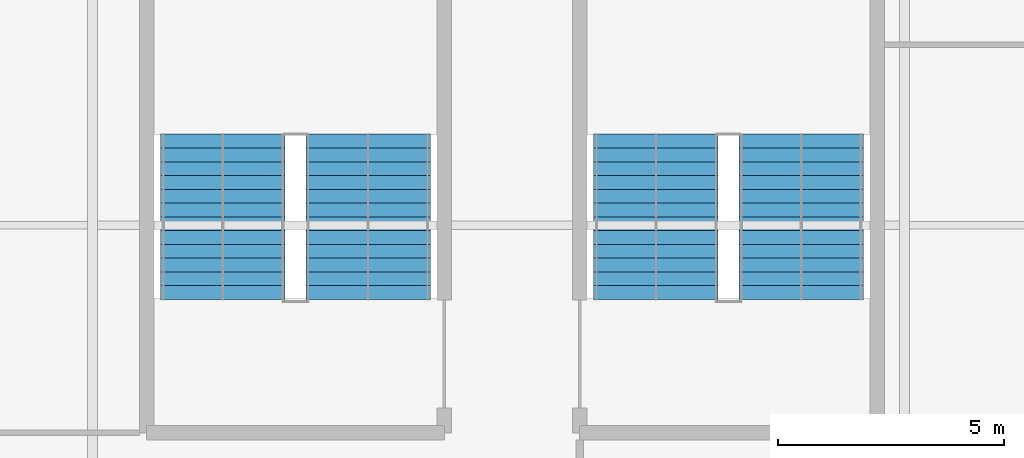
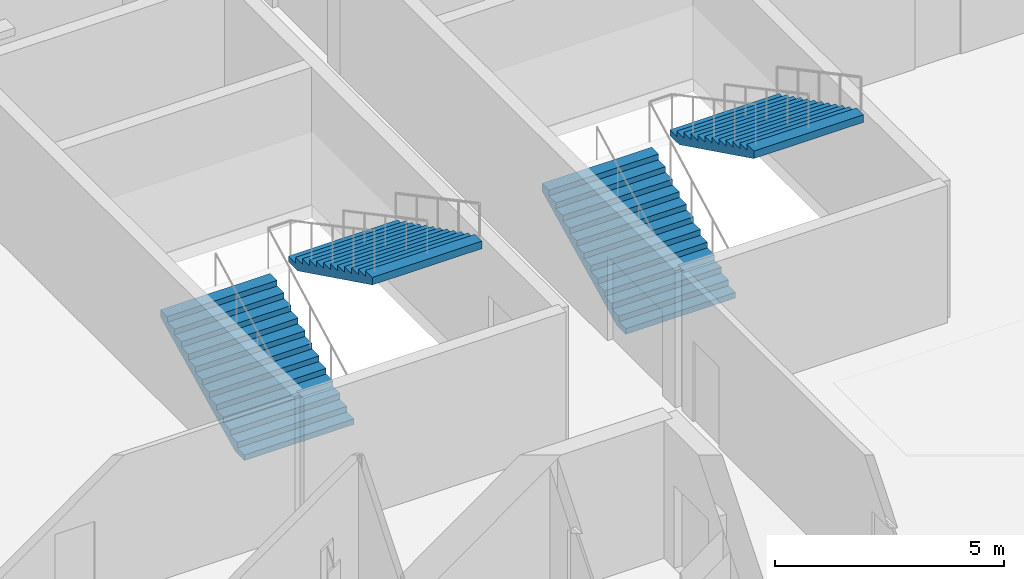
# One storey, part 18 of 27: 4 stair flights, 2 elements without a shape of their own.
"""IFC4 building model written with IfcOpenShell, lengths in metres."""

from ifc_helpers import new_model, si_unit, direction, frame, origin, place, context, subcontext, project, spatial, polygons, material, type_object, element, aggregate, save


model = new_model("IFC4")

# Units and contexts
model_context = context("Model", 3, precision=1e-05, world=origin(), true_north=direction((0.0, 1.0)))
body_context = subcontext(model_context, "Body", "Model", "MODEL_VIEW")
ifc_project = project(units=[si_unit("LENGTHUNIT", "METRE"), si_unit("AREAUNIT", "SQUARE_METRE"), si_unit("VOLUMEUNIT", "CUBIC_METRE"), si_unit("PLANEANGLEUNIT", "RADIAN"), si_unit("MASSUNIT", "GRAM", prefix="KILO")], contexts=[model_context])

# Site, building, storey
site_placement = place(None, origin())
site = spatial("IfcSite", under=ifc_project, at=site_placement, CompositionType="ELEMENT")
building_placement = place(site_placement, origin())
building = spatial("IfcBuilding", under=site, at=building_placement, Name="Kisiwana Market Hall", CompositionType="ELEMENT")
storey_placement = place(building_placement, frame((0.0, 0.0, 41.699951171875)))
storey = spatial("IfcBuildingStorey", under=building, at=storey_placement, Name="L09", CompositionType="ELEMENT", Elevation=41.699951171875)

# Stair, stair flights
ifc_material_1 = material(Name="Concrete C32/40", Category="concrete")
stair_type = type_object("IfcStairType", Name="ST-ESC-3900", PredefinedType="TWO_STRAIGHT_RUN_STAIR", material=ifc_material_1)
stair_1_placement = place(storey_placement, origin())
stair_1 = element("IfcStair", 1, at=stair_1_placement, inside=storey, type_object=stair_type, Name="Escape stair ST-W3-L09", PredefinedType="TWO_STRAIGHT_RUN_STAIR")
ifc_material_2 = material(Name="Concrete C32/40", Category="concrete")
stair_flight_type = type_object("IfcStairFlightType", Name="SF-ESC-3900", PredefinedType="STRAIGHT", material=ifc_material_2)
stair_flight_1_placement = place(storey_placement, frame((11.889892578125, 42.360107421875, 0.0), z_axis=(0.0, 0.0, 1.0), x_axis=(0.0, 1.0, 0.0)))
stair_flight_1 = element("IfcStairFlight", 2, at=stair_flight_1_placement, type_object=stair_flight_type, Name="ST-W3-L09 flight 1", NumberOfRisers=13, NumberOfTreads=12, PredefinedType="STRAIGHT", RiserHeight=0.15, TreadLength=0.305, context=body_context, shape_type="Tessellation", body=[
    polygons([(0.0, -1.380127, 0.0), (0.0, -0.690125, 0.0), (0.0, -0.000122, 0.0), (0.0, 0.68988, 0.0), (0.0, 1.379883, 0.0), (0.0, -1.380127, 0.149902), (0.0, -0.690125, 0.149902), (0.0, -0.000122, 0.149902), (0.0, 0.68988, 0.149902), (0.0, 1.379883, 0.149902), (0.304932, -1.380127, 0.149902), (0.304932, -0.690125, 0.149902), (0.304932, -0.000122, 0.149902), (0.304932, 0.68988, 0.149902), (0.304932, 1.379883, 0.149902), (0.304932, -1.380127, 0.300049), (0.304932, -0.690125, 0.300049), (0.304932, -0.000122, 0.300049), (0.304932, 0.68988, 0.300049), (0.304932, 1.379883, 0.300049), (0.610107, -1.380127, 0.300049), (0.610107, -0.690125, 0.300049), (0.610107, -0.000122, 0.300049), (0.610107, 0.68988, 0.300049), (0.610107, 1.379883, 0.300049), (0.610107, -1.380127, 0.449951), (0.610107, -0.690125, 0.449951), (0.610107, -0.000122, 0.449951), (0.610107, 0.68988, 0.449951), (0.610107, 1.379883, 0.449951), (0.915039, -1.380127, 0.449951), (0.915039, -0.690125, 0.449951), (0.915039, -0.000122, 0.449951), (0.915039, 0.68988, 0.449951), (0.915039, 1.379883, 0.449951), (0.915039, -1.380127, 0.600098), (0.915039, -0.690125, 0.600098), (0.915039, -0.000122, 0.600098), (0.915039, 0.68988, 0.600098), (0.915039, 1.379883, 0.600098), (1.219971, -1.380127, 0.600098), (1.219971, -0.690125, 0.600098), (1.219971, -0.000122, 0.600098), (1.219971, 0.68988, 0.600098), (1.219971, 1.379883, 0.600098), (1.219971, -1.380127, 0.75), (1.219971, -0.690125, 0.75), (1.219971, -0.000122, 0.75), (1.219971, 0.68988, 0.75), (1.219971, 1.379883, 0.75), (1.524902, -1.380127, 0.75), (1.524902, -0.690125, 0.75), (1.524902, -0.000122, 0.75), (1.524902, 0.68988, 0.75), (1.524902, 1.379883, 0.75), (1.524902, -1.380127, 0.899902), (1.524902, -0.690125, 0.899902), (1.524902, -0.000122, 0.899902), (1.524902, 0.68988, 0.899902), (1.524902, 1.379883, 0.899902), (1.830078, -1.380127, 0.899902), (1.830078, -0.690125, 0.899902), (1.830078, -0.000122, 0.899902), (1.830078, 0.68988, 0.899902), (1.830078, 1.379883, 0.899902), (1.830078, -1.380127, 1.050049), (1.830078, -0.690125, 1.050049), (1.830078, -0.000122, 1.050049), (1.830078, 0.68988, 1.050049), (1.830078, 1.379883, 1.050049), (2.13501, -1.380127, 1.050049), (2.13501, -0.690125, 1.050049), (2.13501, -0.000122, 1.050049), (2.13501, 0.68988, 1.050049), (2.13501, 1.379883, 1.050049), (2.13501, -1.380127, 1.199951), (2.13501, -0.690125, 1.199951), (2.13501, -0.000122, 1.199951), (2.13501, 0.68988, 1.199951), (2.13501, 1.379883, 1.199951), (2.439941, -1.380127, 1.199951), (2.439941, -0.690125, 1.199951), (2.439941, -0.000122, 1.199951), (2.439941, 0.68988, 1.199951), (2.439941, 1.379883, 1.199951), (2.439941, -1.380127, 1.350098), (2.439941, -0.690125, 1.350098), (2.439941, -0.000122, 1.350098), (2.439941, 0.68988, 1.350098), (2.439941, 1.379883, 1.350098), (2.745117, -1.380127, 1.350098), (2.745117, -0.690125, 1.350098), (2.745117, -0.000122, 1.350098), (2.745117, 0.68988, 1.350098), (2.745117, 1.379883, 1.350098), (2.745117, -1.380127, 1.5), (2.745117, -0.690125, 1.5), (2.745117, -0.000122, 1.5), (2.745117, 0.68988, 1.5), (2.745117, 1.379883, 1.5), (3.050049, -1.380127, 1.5), (3.050049, -0.690125, 1.5), (3.050049, -0.000122, 1.5), (3.050049, 0.68988, 1.5), (3.050049, 1.379883, 1.5), (3.050049, -1.380127, 1.649902), (3.050049, -0.690125, 1.649902), (3.050049, -0.000122, 1.649902), (3.050049, 0.68988, 1.649902), (3.050049, 1.379883, 1.649902), (3.35498, -1.380127, 1.649902), (3.35498, -0.690125, 1.649902), (3.35498, -0.000122, 1.649902), (3.35498, 0.68988, 1.649902), (3.35498, 1.379883, 1.649902), (3.35498, -1.380127, 1.800049), (3.35498, -0.690125, 1.800049), (3.35498, -0.000122, 1.800049), (3.35498, 0.68988, 1.800049), (3.35498, 1.379883, 1.800049), (3.659912, -1.380127, 1.800049), (3.659912, -0.690125, 1.800049), (3.659912, -0.000122, 1.800049), (3.659912, 0.68988, 1.800049), (3.659912, 1.379883, 1.800049), (3.659912, -1.380127, 1.599365), (3.659912, -0.690125, 1.599365), (3.659912, -0.000122, 1.599365), (3.659912, 0.68988, 1.599365), (3.659912, 1.379883, 1.599365), (0.407715, -1.380127, 0.0), (0.407715, -0.690125, 0.0), (0.407715, -0.000122, 0.0), (0.407715, 0.68988, 0.0), (0.407715, 1.379883, 0.0)], [[[1, 6, 7, 2]], [[2, 7, 8, 3]], [[3, 8, 9, 4]], [[4, 9, 10, 5]], [[6, 11, 12, 7]], [[7, 12, 13, 8]], [[8, 13, 14, 9]], [[9, 14, 15, 10]], [[11, 16, 17, 12]], [[12, 17, 18, 13]], [[13, 18, 19, 14]], [[14, 19, 20, 15]], [[16, 21, 22, 17]], [[17, 22, 23, 18]], [[18, 23, 24, 19]], [[19, 24, 25, 20]], [[21, 26, 27, 22]], [[22, 27, 28, 23]], [[23, 28, 29, 24]], [[24, 29, 30, 25]], [[26, 31, 32, 27]], [[27, 32, 33, 28]], [[28, 33, 34, 29]], [[29, 34, 35, 30]], [[31, 36, 37, 32]], [[32, 37, 38, 33]], [[33, 38, 39, 34]], [[34, 39, 40, 35]], [[36, 41, 42, 37]], [[37, 42, 43, 38]], [[38, 43, 44, 39]], [[39, 44, 45, 40]], [[41, 46, 47, 42]], [[42, 47, 48, 43]], [[43, 48, 49, 44]], [[44, 49, 50, 45]], [[46, 51, 52, 47]], [[47, 52, 53, 48]], [[48, 53, 54, 49]], [[49, 54, 55, 50]], [[51, 56, 57, 52]], [[52, 57, 58, 53]], [[53, 58, 59, 54]], [[54, 59, 60, 55]], [[56, 61, 62, 57]], [[57, 62, 63, 58]], [[58, 63, 64, 59]], [[59, 64, 65, 60]], [[61, 66, 67, 62]], [[62, 67, 68, 63]], [[63, 68, 69, 64]], [[64, 69, 70, 65]], [[66, 71, 72, 67]], [[67, 72, 73, 68]], [[68, 73, 74, 69]], [[69, 74, 75, 70]], [[71, 76, 77, 72]], [[72, 77, 78, 73]], [[73, 78, 79, 74]], [[74, 79, 80, 75]], [[76, 81, 82, 77]], [[77, 82, 83, 78]], [[78, 83, 84, 79]], [[79, 84, 85, 80]], [[81, 86, 87, 82]], [[82, 87, 88, 83]], [[83, 88, 89, 84]], [[84, 89, 90, 85]], [[86, 91, 92, 87]], [[87, 92, 93, 88]], [[88, 93, 94, 89]], [[89, 94, 95, 90]], [[91, 96, 97, 92]], [[92, 97, 98, 93]], [[93, 98, 99, 94]], [[94, 99, 100, 95]], [[96, 101, 102, 97]], [[97, 102, 103, 98]], [[98, 103, 104, 99]], [[99, 104, 105, 100]], [[101, 106, 107, 102]], [[102, 107, 108, 103]], [[103, 108, 109, 104]], [[104, 109, 110, 105]], [[106, 111, 112, 107]], [[107, 112, 113, 108]], [[108, 113, 114, 109]], [[109, 114, 115, 110]], [[111, 116, 117, 112]], [[112, 117, 118, 113]], [[113, 118, 119, 114]], [[114, 119, 120, 115]], [[116, 121, 122, 117]], [[117, 122, 123, 118]], [[118, 123, 124, 119]], [[119, 124, 125, 120]], [[121, 126, 127, 122]], [[122, 127, 128, 123]], [[123, 128, 129, 124]], [[124, 129, 130, 125]], [[126, 131, 132, 127]], [[127, 132, 133, 128]], [[128, 133, 134, 129]], [[129, 134, 135, 130]], [[131, 1, 2, 132]], [[132, 2, 3, 133]], [[133, 3, 4, 134]], [[134, 4, 5, 135]], [[131, 126, 121, 116, 111, 106, 101, 96, 91, 86, 81, 76, 71, 66, 61, 56, 51, 46, 41, 36, 31, 26, 21, 16, 11, 6, 1]], [[5, 10, 15, 20, 25, 30, 35, 40, 45, 50, 55, 60, 65, 70, 75, 80, 85, 90, 95, 100, 105, 110, 115, 120, 125, 130, 135]]], closed=True),
])
stair_flight_2_placement = place(storey_placement, frame((15.110107421875, 46.02001953125, 1.949951171875), z_axis=(0.0, 0.0, 1.0), x_axis=(0.0, -1.0, 0.0)))
stair_flight_2 = element("IfcStairFlight", 3, at=stair_flight_2_placement, type_object=stair_flight_type, Name="ST-W3-L09 flight 2", NumberOfRisers=13, NumberOfTreads=12, PredefinedType="STRAIGHT", RiserHeight=0.15, TreadLength=0.305, context=body_context, shape_type="Tessellation", body=[
    polygons([(0.0, -1.380127, 0.0), (0.0, -0.690125, 0.0), (0.0, -0.000122, 0.0), (0.0, 0.68988, 0.0), (0.0, 1.379883, 0.0), (0.0, -1.380127, 0.149902), (0.0, -0.690125, 0.149902), (0.0, -0.000122, 0.149902), (0.0, 0.68988, 0.149902), (0.0, 1.379883, 0.149902), (0.304932, -1.380127, 0.149902), (0.304932, -0.690125, 0.149902), (0.304932, -0.000122, 0.149902), (0.304932, 0.68988, 0.149902), (0.304932, 1.379883, 0.149902), (0.304932, -1.380127, 0.300049), (0.304932, -0.690125, 0.300049), (0.304932, -0.000122, 0.300049), (0.304932, 0.68988, 0.300049), (0.304932, 1.379883, 0.300049), (0.610107, -1.380127, 0.300049), (0.610107, -0.690125, 0.300049), (0.610107, -0.000122, 0.300049), (0.610107, 0.68988, 0.300049), (0.610107, 1.379883, 0.300049), (0.610107, -1.380127, 0.449951), (0.610107, -0.690125, 0.449951), (0.610107, -0.000122, 0.449951), (0.610107, 0.68988, 0.449951), (0.610107, 1.379883, 0.449951), (0.915039, -1.380127, 0.449951), (0.915039, -0.690125, 0.449951), (0.915039, -0.000122, 0.449951), (0.915039, 0.68988, 0.449951), (0.915039, 1.379883, 0.449951), (0.915039, -1.380127, 0.600098), (0.915039, -0.690125, 0.600098), (0.915039, -0.000122, 0.600098), (0.915039, 0.68988, 0.600098), (0.915039, 1.379883, 0.600098), (1.219971, -1.380127, 0.600098), (1.219971, -0.690125, 0.600098), (1.219971, -0.000122, 0.600098), (1.219971, 0.68988, 0.600098), (1.219971, 1.379883, 0.600098), (1.219971, -1.380127, 0.75), (1.219971, -0.690125, 0.75), (1.219971, -0.000122, 0.75), (1.219971, 0.68988, 0.75), (1.219971, 1.379883, 0.75), (1.524902, -1.380127, 0.75), (1.524902, -0.690125, 0.75), (1.524902, -0.000122, 0.75), (1.524902, 0.68988, 0.75), (1.524902, 1.379883, 0.75), (1.524902, -1.380127, 0.899902), (1.524902, -0.690125, 0.899902), (1.524902, -0.000122, 0.899902), (1.524902, 0.68988, 0.899902), (1.524902, 1.379883, 0.899902), (1.830078, -1.380127, 0.899902), (1.830078, -0.690125, 0.899902), (1.830078, -0.000122, 0.899902), (1.830078, 0.68988, 0.899902), (1.830078, 1.379883, 0.899902), (1.830078, -1.380127, 1.050049), (1.830078, -0.690125, 1.050049), (1.830078, -0.000122, 1.050049), (1.830078, 0.68988, 1.050049), (1.830078, 1.379883, 1.050049), (2.13501, -1.380127, 1.050049), (2.13501, -0.690125, 1.050049), (2.13501, -0.000122, 1.050049), (2.13501, 0.68988, 1.050049), (2.13501, 1.379883, 1.050049), (2.13501, -1.380127, 1.199951), (2.13501, -0.690125, 1.199951), (2.13501, -0.000122, 1.199951), (2.13501, 0.68988, 1.199951), (2.13501, 1.379883, 1.199951), (2.439941, -1.380127, 1.199951), (2.439941, -0.690125, 1.199951), (2.439941, -0.000122, 1.199951), (2.439941, 0.68988, 1.199951), (2.439941, 1.379883, 1.199951), (2.439941, -1.380127, 1.350098), (2.439941, -0.690125, 1.350098), (2.439941, -0.000122, 1.350098), (2.439941, 0.68988, 1.350098), (2.439941, 1.379883, 1.350098), (2.745117, -1.380127, 1.350098), (2.745117, -0.690125, 1.350098), (2.745117, -0.000122, 1.350098), (2.745117, 0.68988, 1.350098), (2.745117, 1.379883, 1.350098), (2.745117, -1.380127, 1.5), (2.745117, -0.690125, 1.5), (2.745117, -0.000122, 1.5), (2.745117, 0.68988, 1.5), (2.745117, 1.379883, 1.5), (3.050049, -1.380127, 1.5), (3.050049, -0.690125, 1.5), (3.050049, -0.000122, 1.5), (3.050049, 0.68988, 1.5), (3.050049, 1.379883, 1.5), (3.050049, -1.380127, 1.649902), (3.050049, -0.690125, 1.649902), (3.050049, -0.000122, 1.649902), (3.050049, 0.68988, 1.649902), (3.050049, 1.379883, 1.649902), (3.35498, -1.380127, 1.649902), (3.35498, -0.690125, 1.649902), (3.35498, -0.000122, 1.649902), (3.35498, 0.68988, 1.649902), (3.35498, 1.379883, 1.649902), (3.35498, -1.380127, 1.800049), (3.35498, -0.690125, 1.800049), (3.35498, -0.000122, 1.800049), (3.35498, 0.68988, 1.800049), (3.35498, 1.379883, 1.800049), (3.659912, -1.380127, 1.800049), (3.659912, -0.690125, 1.800049), (3.659912, -0.000122, 1.800049), (3.659912, 0.68988, 1.800049), (3.659912, 1.379883, 1.800049), (3.659912, -1.380127, 1.599365), (3.659912, -0.690125, 1.599365), (3.659912, -0.000122, 1.599365), (3.659912, 0.68988, 1.599365), (3.659912, 1.379883, 1.599365), (0.407715, -1.380127, 0.0), (0.407715, -0.690125, 0.0), (0.407715, -0.000122, 0.0), (0.407715, 0.68988, 0.0), (0.407715, 1.379883, 0.0)], [[[1, 6, 7, 2]], [[2, 7, 8, 3]], [[3, 8, 9, 4]], [[4, 9, 10, 5]], [[6, 11, 12, 7]], [[7, 12, 13, 8]], [[8, 13, 14, 9]], [[9, 14, 15, 10]], [[11, 16, 17, 12]], [[12, 17, 18, 13]], [[13, 18, 19, 14]], [[14, 19, 20, 15]], [[16, 21, 22, 17]], [[17, 22, 23, 18]], [[18, 23, 24, 19]], [[19, 24, 25, 20]], [[21, 26, 27, 22]], [[22, 27, 28, 23]], [[23, 28, 29, 24]], [[24, 29, 30, 25]], [[26, 31, 32, 27]], [[27, 32, 33, 28]], [[28, 33, 34, 29]], [[29, 34, 35, 30]], [[31, 36, 37, 32]], [[32, 37, 38, 33]], [[33, 38, 39, 34]], [[34, 39, 40, 35]], [[36, 41, 42, 37]], [[37, 42, 43, 38]], [[38, 43, 44, 39]], [[39, 44, 45, 40]], [[41, 46, 47, 42]], [[42, 47, 48, 43]], [[43, 48, 49, 44]], [[44, 49, 50, 45]], [[46, 51, 52, 47]], [[47, 52, 53, 48]], [[48, 53, 54, 49]], [[49, 54, 55, 50]], [[51, 56, 57, 52]], [[52, 57, 58, 53]], [[53, 58, 59, 54]], [[54, 59, 60, 55]], [[56, 61, 62, 57]], [[57, 62, 63, 58]], [[58, 63, 64, 59]], [[59, 64, 65, 60]], [[61, 66, 67, 62]], [[62, 67, 68, 63]], [[63, 68, 69, 64]], [[64, 69, 70, 65]], [[66, 71, 72, 67]], [[67, 72, 73, 68]], [[68, 73, 74, 69]], [[69, 74, 75, 70]], [[71, 76, 77, 72]], [[72, 77, 78, 73]], [[73, 78, 79, 74]], [[74, 79, 80, 75]], [[76, 81, 82, 77]], [[77, 82, 83, 78]], [[78, 83, 84, 79]], [[79, 84, 85, 80]], [[81, 86, 87, 82]], [[82, 87, 88, 83]], [[83, 88, 89, 84]], [[84, 89, 90, 85]], [[86, 91, 92, 87]], [[87, 92, 93, 88]], [[88, 93, 94, 89]], [[89, 94, 95, 90]], [[91, 96, 97, 92]], [[92, 97, 98, 93]], [[93, 98, 99, 94]], [[94, 99, 100, 95]], [[96, 101, 102, 97]], [[97, 102, 103, 98]], [[98, 103, 104, 99]], [[99, 104, 105, 100]], [[101, 106, 107, 102]], [[102, 107, 108, 103]], [[103, 108, 109, 104]], [[104, 109, 110, 105]], [[106, 111, 112, 107]], [[107, 112, 113, 108]], [[108, 113, 114, 109]], [[109, 114, 115, 110]], [[111, 116, 117, 112]], [[112, 117, 118, 113]], [[113, 118, 119, 114]], [[114, 119, 120, 115]], [[116, 121, 122, 117]], [[117, 122, 123, 118]], [[118, 123, 124, 119]], [[119, 124, 125, 120]], [[121, 126, 127, 122]], [[122, 127, 128, 123]], [[123, 128, 129, 124]], [[124, 129, 130, 125]], [[126, 131, 132, 127]], [[127, 132, 133, 128]], [[128, 133, 134, 129]], [[129, 134, 135, 130]], [[131, 1, 2, 132]], [[132, 2, 3, 133]], [[133, 3, 4, 134]], [[134, 4, 5, 135]], [[131, 126, 121, 116, 111, 106, 101, 96, 91, 86, 81, 76, 71, 66, 61, 56, 51, 46, 41, 36, 31, 26, 21, 16, 11, 6, 1]], [[5, 10, 15, 20, 25, 30, 35, 40, 45, 50, 55, 60, 65, 70, 75, 80, 85, 90, 95, 100, 105, 110, 115, 120, 125, 130, 135]]], closed=True),
])
aggregate(stair_1, [stair_flight_1, stair_flight_2])

stair_2_placement = place(storey_placement, origin())
stair_2 = element("IfcStair", 4, at=stair_2_placement, inside=storey, type_object=stair_type, Name="Escape stair ST-W7-L09", PredefinedType="TWO_STRAIGHT_RUN_STAIR")
stair_flight_3_placement = place(storey_placement, frame((21.489990234375, 42.360107421875, 0.0), z_axis=(0.0, 0.0, 1.0), x_axis=(0.0, 1.0, 0.0)))
stair_flight_3 = element("IfcStairFlight", 5, at=stair_flight_3_placement, type_object=stair_flight_type, Name="ST-W7-L09 flight 1", NumberOfRisers=13, NumberOfTreads=12, PredefinedType="STRAIGHT", RiserHeight=0.15, TreadLength=0.305, context=body_context, shape_type="Tessellation", body=[
    polygons([(0.0, -1.380127, 0.0), (0.0, -0.690125, 0.0), (0.0, -0.000122, 0.0), (0.0, 0.68988, 0.0), (0.0, 1.379883, 0.0), (0.0, -1.380127, 0.149902), (0.0, -0.690125, 0.149902), (0.0, -0.000122, 0.149902), (0.0, 0.68988, 0.149902), (0.0, 1.379883, 0.149902), (0.304932, -1.380127, 0.149902), (0.304932, -0.690125, 0.149902), (0.304932, -0.000122, 0.149902), (0.304932, 0.68988, 0.149902), (0.304932, 1.379883, 0.149902), (0.304932, -1.380127, 0.300049), (0.304932, -0.690125, 0.300049), (0.304932, -0.000122, 0.300049), (0.304932, 0.68988, 0.300049), (0.304932, 1.379883, 0.300049), (0.610107, -1.380127, 0.300049), (0.610107, -0.690125, 0.300049), (0.610107, -0.000122, 0.300049), (0.610107, 0.68988, 0.300049), (0.610107, 1.379883, 0.300049), (0.610107, -1.380127, 0.449951), (0.610107, -0.690125, 0.449951), (0.610107, -0.000122, 0.449951), (0.610107, 0.68988, 0.449951), (0.610107, 1.379883, 0.449951), (0.915039, -1.380127, 0.449951), (0.915039, -0.690125, 0.449951), (0.915039, -0.000122, 0.449951), (0.915039, 0.68988, 0.449951), (0.915039, 1.379883, 0.449951), (0.915039, -1.380127, 0.600098), (0.915039, -0.690125, 0.600098), (0.915039, -0.000122, 0.600098), (0.915039, 0.68988, 0.600098), (0.915039, 1.379883, 0.600098), (1.219971, -1.380127, 0.600098), (1.219971, -0.690125, 0.600098), (1.219971, -0.000122, 0.600098), (1.219971, 0.68988, 0.600098), (1.219971, 1.379883, 0.600098), (1.219971, -1.380127, 0.75), (1.219971, -0.690125, 0.75), (1.219971, -0.000122, 0.75), (1.219971, 0.68988, 0.75), (1.219971, 1.379883, 0.75), (1.524902, -1.380127, 0.75), (1.524902, -0.690125, 0.75), (1.524902, -0.000122, 0.75), (1.524902, 0.68988, 0.75), (1.524902, 1.379883, 0.75), (1.524902, -1.380127, 0.899902), (1.524902, -0.690125, 0.899902), (1.524902, -0.000122, 0.899902), (1.524902, 0.68988, 0.899902), (1.524902, 1.379883, 0.899902), (1.830078, -1.380127, 0.899902), (1.830078, -0.690125, 0.899902), (1.830078, -0.000122, 0.899902), (1.830078, 0.68988, 0.899902), (1.830078, 1.379883, 0.899902), (1.830078, -1.380127, 1.050049), (1.830078, -0.690125, 1.050049), (1.830078, -0.000122, 1.050049), (1.830078, 0.68988, 1.050049), (1.830078, 1.379883, 1.050049), (2.13501, -1.380127, 1.050049), (2.13501, -0.690125, 1.050049), (2.13501, -0.000122, 1.050049), (2.13501, 0.68988, 1.050049), (2.13501, 1.379883, 1.050049), (2.13501, -1.380127, 1.199951), (2.13501, -0.690125, 1.199951), (2.13501, -0.000122, 1.199951), (2.13501, 0.68988, 1.199951), (2.13501, 1.379883, 1.199951), (2.439941, -1.380127, 1.199951), (2.439941, -0.690125, 1.199951), (2.439941, -0.000122, 1.199951), (2.439941, 0.68988, 1.199951), (2.439941, 1.379883, 1.199951), (2.439941, -1.380127, 1.350098), (2.439941, -0.690125, 1.350098), (2.439941, -0.000122, 1.350098), (2.439941, 0.68988, 1.350098), (2.439941, 1.379883, 1.350098), (2.745117, -1.380127, 1.350098), (2.745117, -0.690125, 1.350098), (2.745117, -0.000122, 1.350098), (2.745117, 0.68988, 1.350098), (2.745117, 1.379883, 1.350098), (2.745117, -1.380127, 1.5), (2.745117, -0.690125, 1.5), (2.745117, -0.000122, 1.5), (2.745117, 0.68988, 1.5), (2.745117, 1.379883, 1.5), (3.050049, -1.380127, 1.5), (3.050049, -0.690125, 1.5), (3.050049, -0.000122, 1.5), (3.050049, 0.68988, 1.5), (3.050049, 1.379883, 1.5), (3.050049, -1.380127, 1.649902), (3.050049, -0.690125, 1.649902), (3.050049, -0.000122, 1.649902), (3.050049, 0.68988, 1.649902), (3.050049, 1.379883, 1.649902), (3.35498, -1.380127, 1.649902), (3.35498, -0.690125, 1.649902), (3.35498, -0.000122, 1.649902), (3.35498, 0.68988, 1.649902), (3.35498, 1.379883, 1.649902), (3.35498, -1.380127, 1.800049), (3.35498, -0.690125, 1.800049), (3.35498, -0.000122, 1.800049), (3.35498, 0.68988, 1.800049), (3.35498, 1.379883, 1.800049), (3.659912, -1.380127, 1.800049), (3.659912, -0.690125, 1.800049), (3.659912, -0.000122, 1.800049), (3.659912, 0.68988, 1.800049), (3.659912, 1.379883, 1.800049), (3.659912, -1.380127, 1.599365), (3.659912, -0.690125, 1.599365), (3.659912, -0.000122, 1.599365), (3.659912, 0.68988, 1.599365), (3.659912, 1.379883, 1.599365), (0.407715, -1.380127, 0.0), (0.407715, -0.690125, 0.0), (0.407715, -0.000122, 0.0), (0.407715, 0.68988, 0.0), (0.407715, 1.379883, 0.0)], [[[1, 6, 7, 2]], [[2, 7, 8, 3]], [[3, 8, 9, 4]], [[4, 9, 10, 5]], [[6, 11, 12, 7]], [[7, 12, 13, 8]], [[8, 13, 14, 9]], [[9, 14, 15, 10]], [[11, 16, 17, 12]], [[12, 17, 18, 13]], [[13, 18, 19, 14]], [[14, 19, 20, 15]], [[16, 21, 22, 17]], [[17, 22, 23, 18]], [[18, 23, 24, 19]], [[19, 24, 25, 20]], [[21, 26, 27, 22]], [[22, 27, 28, 23]], [[23, 28, 29, 24]], [[24, 29, 30, 25]], [[26, 31, 32, 27]], [[27, 32, 33, 28]], [[28, 33, 34, 29]], [[29, 34, 35, 30]], [[31, 36, 37, 32]], [[32, 37, 38, 33]], [[33, 38, 39, 34]], [[34, 39, 40, 35]], [[36, 41, 42, 37]], [[37, 42, 43, 38]], [[38, 43, 44, 39]], [[39, 44, 45, 40]], [[41, 46, 47, 42]], [[42, 47, 48, 43]], [[43, 48, 49, 44]], [[44, 49, 50, 45]], [[46, 51, 52, 47]], [[47, 52, 53, 48]], [[48, 53, 54, 49]], [[49, 54, 55, 50]], [[51, 56, 57, 52]], [[52, 57, 58, 53]], [[53, 58, 59, 54]], [[54, 59, 60, 55]], [[56, 61, 62, 57]], [[57, 62, 63, 58]], [[58, 63, 64, 59]], [[59, 64, 65, 60]], [[61, 66, 67, 62]], [[62, 67, 68, 63]], [[63, 68, 69, 64]], [[64, 69, 70, 65]], [[66, 71, 72, 67]], [[67, 72, 73, 68]], [[68, 73, 74, 69]], [[69, 74, 75, 70]], [[71, 76, 77, 72]], [[72, 77, 78, 73]], [[73, 78, 79, 74]], [[74, 79, 80, 75]], [[76, 81, 82, 77]], [[77, 82, 83, 78]], [[78, 83, 84, 79]], [[79, 84, 85, 80]], [[81, 86, 87, 82]], [[82, 87, 88, 83]], [[83, 88, 89, 84]], [[84, 89, 90, 85]], [[86, 91, 92, 87]], [[87, 92, 93, 88]], [[88, 93, 94, 89]], [[89, 94, 95, 90]], [[91, 96, 97, 92]], [[92, 97, 98, 93]], [[93, 98, 99, 94]], [[94, 99, 100, 95]], [[96, 101, 102, 97]], [[97, 102, 103, 98]], [[98, 103, 104, 99]], [[99, 104, 105, 100]], [[101, 106, 107, 102]], [[102, 107, 108, 103]], [[103, 108, 109, 104]], [[104, 109, 110, 105]], [[106, 111, 112, 107]], [[107, 112, 113, 108]], [[108, 113, 114, 109]], [[109, 114, 115, 110]], [[111, 116, 117, 112]], [[112, 117, 118, 113]], [[113, 118, 119, 114]], [[114, 119, 120, 115]], [[116, 121, 122, 117]], [[117, 122, 123, 118]], [[118, 123, 124, 119]], [[119, 124, 125, 120]], [[121, 126, 127, 122]], [[122, 127, 128, 123]], [[123, 128, 129, 124]], [[124, 129, 130, 125]], [[126, 131, 132, 127]], [[127, 132, 133, 128]], [[128, 133, 134, 129]], [[129, 134, 135, 130]], [[131, 1, 2, 132]], [[132, 2, 3, 133]], [[133, 3, 4, 134]], [[134, 4, 5, 135]], [[131, 126, 121, 116, 111, 106, 101, 96, 91, 86, 81, 76, 71, 66, 61, 56, 51, 46, 41, 36, 31, 26, 21, 16, 11, 6, 1]], [[5, 10, 15, 20, 25, 30, 35, 40, 45, 50, 55, 60, 65, 70, 75, 80, 85, 90, 95, 100, 105, 110, 115, 120, 125, 130, 135]]], closed=True),
])
stair_flight_4_placement = place(storey_placement, frame((24.7099609375, 46.02001953125, 1.949951171875), z_axis=(0.0, 0.0, 1.0), x_axis=(0.0, -1.0, 0.0)))
stair_flight_4 = element("IfcStairFlight", 6, at=stair_flight_4_placement, type_object=stair_flight_type, Name="ST-W7-L09 flight 2", NumberOfRisers=13, NumberOfTreads=12, PredefinedType="STRAIGHT", RiserHeight=0.15, TreadLength=0.305, context=body_context, shape_type="Tessellation", body=[
    polygons([(0.0, -1.380127, 0.0), (0.0, -0.690125, 0.0), (0.0, -0.000122, 0.0), (0.0, 0.68988, 0.0), (0.0, 1.379883, 0.0), (0.0, -1.380127, 0.149902), (0.0, -0.690125, 0.149902), (0.0, -0.000122, 0.149902), (0.0, 0.68988, 0.149902), (0.0, 1.379883, 0.149902), (0.304932, -1.380127, 0.149902), (0.304932, -0.690125, 0.149902), (0.304932, -0.000122, 0.149902), (0.304932, 0.68988, 0.149902), (0.304932, 1.379883, 0.149902), (0.304932, -1.380127, 0.300049), (0.304932, -0.690125, 0.300049), (0.304932, -0.000122, 0.300049), (0.304932, 0.68988, 0.300049), (0.304932, 1.379883, 0.300049), (0.610107, -1.380127, 0.300049), (0.610107, -0.690125, 0.300049), (0.610107, -0.000122, 0.300049), (0.610107, 0.68988, 0.300049), (0.610107, 1.379883, 0.300049), (0.610107, -1.380127, 0.449951), (0.610107, -0.690125, 0.449951), (0.610107, -0.000122, 0.449951), (0.610107, 0.68988, 0.449951), (0.610107, 1.379883, 0.449951), (0.915039, -1.380127, 0.449951), (0.915039, -0.690125, 0.449951), (0.915039, -0.000122, 0.449951), (0.915039, 0.68988, 0.449951), (0.915039, 1.379883, 0.449951), (0.915039, -1.380127, 0.600098), (0.915039, -0.690125, 0.600098), (0.915039, -0.000122, 0.600098), (0.915039, 0.68988, 0.600098), (0.915039, 1.379883, 0.600098), (1.219971, -1.380127, 0.600098), (1.219971, -0.690125, 0.600098), (1.219971, -0.000122, 0.600098), (1.219971, 0.68988, 0.600098), (1.219971, 1.379883, 0.600098), (1.219971, -1.380127, 0.75), (1.219971, -0.690125, 0.75), (1.219971, -0.000122, 0.75), (1.219971, 0.68988, 0.75), (1.219971, 1.379883, 0.75), (1.524902, -1.380127, 0.75), (1.524902, -0.690125, 0.75), (1.524902, -0.000122, 0.75), (1.524902, 0.68988, 0.75), (1.524902, 1.379883, 0.75), (1.524902, -1.380127, 0.899902), (1.524902, -0.690125, 0.899902), (1.524902, -0.000122, 0.899902), (1.524902, 0.68988, 0.899902), (1.524902, 1.379883, 0.899902), (1.830078, -1.380127, 0.899902), (1.830078, -0.690125, 0.899902), (1.830078, -0.000122, 0.899902), (1.830078, 0.68988, 0.899902), (1.830078, 1.379883, 0.899902), (1.830078, -1.380127, 1.050049), (1.830078, -0.690125, 1.050049), (1.830078, -0.000122, 1.050049), (1.830078, 0.68988, 1.050049), (1.830078, 1.379883, 1.050049), (2.13501, -1.380127, 1.050049), (2.13501, -0.690125, 1.050049), (2.13501, -0.000122, 1.050049), (2.13501, 0.68988, 1.050049), (2.13501, 1.379883, 1.050049), (2.13501, -1.380127, 1.199951), (2.13501, -0.690125, 1.199951), (2.13501, -0.000122, 1.199951), (2.13501, 0.68988, 1.199951), (2.13501, 1.379883, 1.199951), (2.439941, -1.380127, 1.199951), (2.439941, -0.690125, 1.199951), (2.439941, -0.000122, 1.199951), (2.439941, 0.68988, 1.199951), (2.439941, 1.379883, 1.199951), (2.439941, -1.380127, 1.350098), (2.439941, -0.690125, 1.350098), (2.439941, -0.000122, 1.350098), (2.439941, 0.68988, 1.350098), (2.439941, 1.379883, 1.350098), (2.745117, -1.380127, 1.350098), (2.745117, -0.690125, 1.350098), (2.745117, -0.000122, 1.350098), (2.745117, 0.68988, 1.350098), (2.745117, 1.379883, 1.350098), (2.745117, -1.380127, 1.5), (2.745117, -0.690125, 1.5), (2.745117, -0.000122, 1.5), (2.745117, 0.68988, 1.5), (2.745117, 1.379883, 1.5), (3.050049, -1.380127, 1.5), (3.050049, -0.690125, 1.5), (3.050049, -0.000122, 1.5), (3.050049, 0.68988, 1.5), (3.050049, 1.379883, 1.5), (3.050049, -1.380127, 1.649902), (3.050049, -0.690125, 1.649902), (3.050049, -0.000122, 1.649902), (3.050049, 0.68988, 1.649902), (3.050049, 1.379883, 1.649902), (3.35498, -1.380127, 1.649902), (3.35498, -0.690125, 1.649902), (3.35498, -0.000122, 1.649902), (3.35498, 0.68988, 1.649902), (3.35498, 1.379883, 1.649902), (3.35498, -1.380127, 1.800049), (3.35498, -0.690125, 1.800049), (3.35498, -0.000122, 1.800049), (3.35498, 0.68988, 1.800049), (3.35498, 1.379883, 1.800049), (3.659912, -1.380127, 1.800049), (3.659912, -0.690125, 1.800049), (3.659912, -0.000122, 1.800049), (3.659912, 0.68988, 1.800049), (3.659912, 1.379883, 1.800049), (3.659912, -1.380127, 1.599365), (3.659912, -0.690125, 1.599365), (3.659912, -0.000122, 1.599365), (3.659912, 0.68988, 1.599365), (3.659912, 1.379883, 1.599365), (0.407715, -1.380127, 0.0), (0.407715, -0.690125, 0.0), (0.407715, -0.000122, 0.0), (0.407715, 0.68988, 0.0), (0.407715, 1.379883, 0.0)], [[[1, 6, 7, 2]], [[2, 7, 8, 3]], [[3, 8, 9, 4]], [[4, 9, 10, 5]], [[6, 11, 12, 7]], [[7, 12, 13, 8]], [[8, 13, 14, 9]], [[9, 14, 15, 10]], [[11, 16, 17, 12]], [[12, 17, 18, 13]], [[13, 18, 19, 14]], [[14, 19, 20, 15]], [[16, 21, 22, 17]], [[17, 22, 23, 18]], [[18, 23, 24, 19]], [[19, 24, 25, 20]], [[21, 26, 27, 22]], [[22, 27, 28, 23]], [[23, 28, 29, 24]], [[24, 29, 30, 25]], [[26, 31, 32, 27]], [[27, 32, 33, 28]], [[28, 33, 34, 29]], [[29, 34, 35, 30]], [[31, 36, 37, 32]], [[32, 37, 38, 33]], [[33, 38, 39, 34]], [[34, 39, 40, 35]], [[36, 41, 42, 37]], [[37, 42, 43, 38]], [[38, 43, 44, 39]], [[39, 44, 45, 40]], [[41, 46, 47, 42]], [[42, 47, 48, 43]], [[43, 48, 49, 44]], [[44, 49, 50, 45]], [[46, 51, 52, 47]], [[47, 52, 53, 48]], [[48, 53, 54, 49]], [[49, 54, 55, 50]], [[51, 56, 57, 52]], [[52, 57, 58, 53]], [[53, 58, 59, 54]], [[54, 59, 60, 55]], [[56, 61, 62, 57]], [[57, 62, 63, 58]], [[58, 63, 64, 59]], [[59, 64, 65, 60]], [[61, 66, 67, 62]], [[62, 67, 68, 63]], [[63, 68, 69, 64]], [[64, 69, 70, 65]], [[66, 71, 72, 67]], [[67, 72, 73, 68]], [[68, 73, 74, 69]], [[69, 74, 75, 70]], [[71, 76, 77, 72]], [[72, 77, 78, 73]], [[73, 78, 79, 74]], [[74, 79, 80, 75]], [[76, 81, 82, 77]], [[77, 82, 83, 78]], [[78, 83, 84, 79]], [[79, 84, 85, 80]], [[81, 86, 87, 82]], [[82, 87, 88, 83]], [[83, 88, 89, 84]], [[84, 89, 90, 85]], [[86, 91, 92, 87]], [[87, 92, 93, 88]], [[88, 93, 94, 89]], [[89, 94, 95, 90]], [[91, 96, 97, 92]], [[92, 97, 98, 93]], [[93, 98, 99, 94]], [[94, 99, 100, 95]], [[96, 101, 102, 97]], [[97, 102, 103, 98]], [[98, 103, 104, 99]], [[99, 104, 105, 100]], [[101, 106, 107, 102]], [[102, 107, 108, 103]], [[103, 108, 109, 104]], [[104, 109, 110, 105]], [[106, 111, 112, 107]], [[107, 112, 113, 108]], [[108, 113, 114, 109]], [[109, 114, 115, 110]], [[111, 116, 117, 112]], [[112, 117, 118, 113]], [[113, 118, 119, 114]], [[114, 119, 120, 115]], [[116, 121, 122, 117]], [[117, 122, 123, 118]], [[118, 123, 124, 119]], [[119, 124, 125, 120]], [[121, 126, 127, 122]], [[122, 127, 128, 123]], [[123, 128, 129, 124]], [[124, 129, 130, 125]], [[126, 131, 132, 127]], [[127, 132, 133, 128]], [[128, 133, 134, 129]], [[129, 134, 135, 130]], [[131, 1, 2, 132]], [[132, 2, 3, 133]], [[133, 3, 4, 134]], [[134, 4, 5, 135]], [[131, 126, 121, 116, 111, 106, 101, 96, 91, 86, 81, 76, 71, 66, 61, 56, 51, 46, 41, 36, 31, 26, 21, 16, 11, 6, 1]], [[5, 10, 15, 20, 25, 30, 35, 40, 45, 50, 55, 60, 65, 70, 75, 80, 85, 90, 95, 100, 105, 110, 115, 120, 125, 130, 135]]], closed=True),
])
aggregate(stair_2, [stair_flight_3, stair_flight_4])

save(model, "model.ifc")
